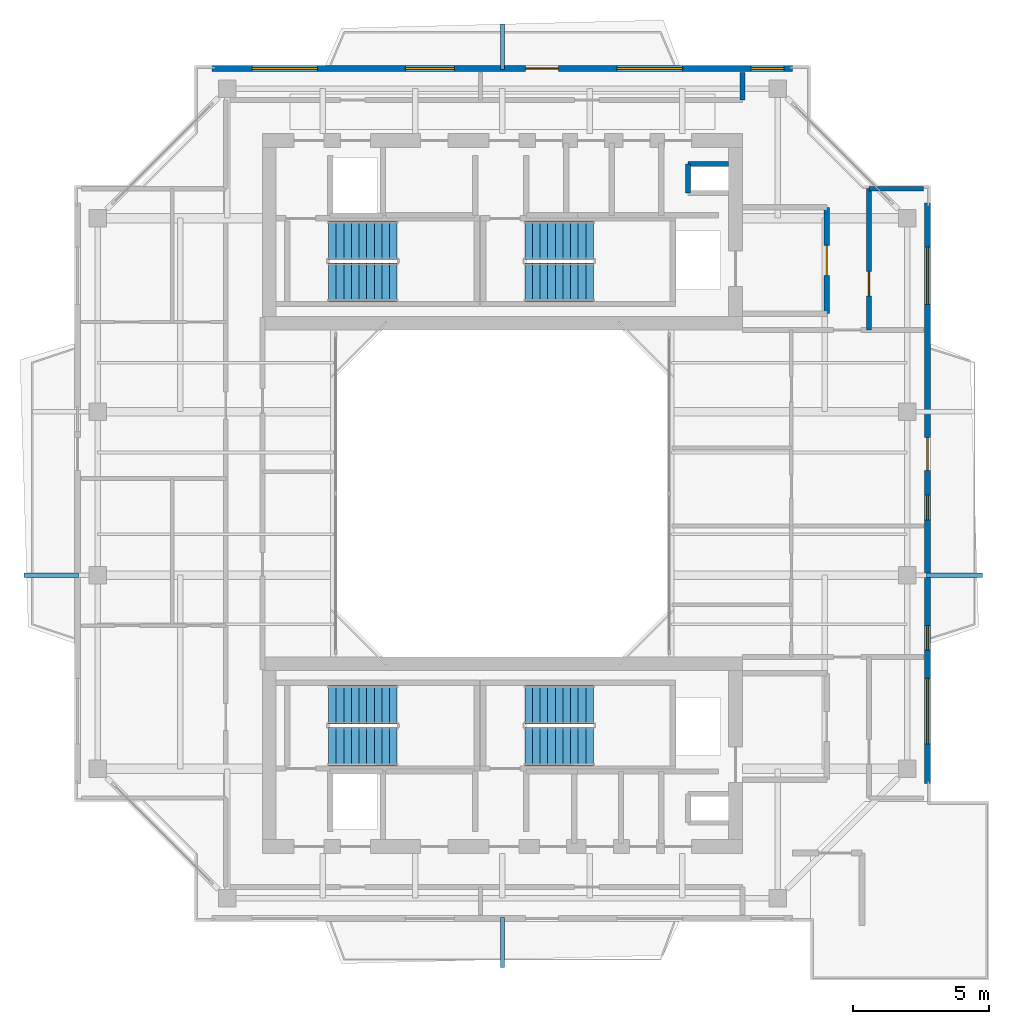
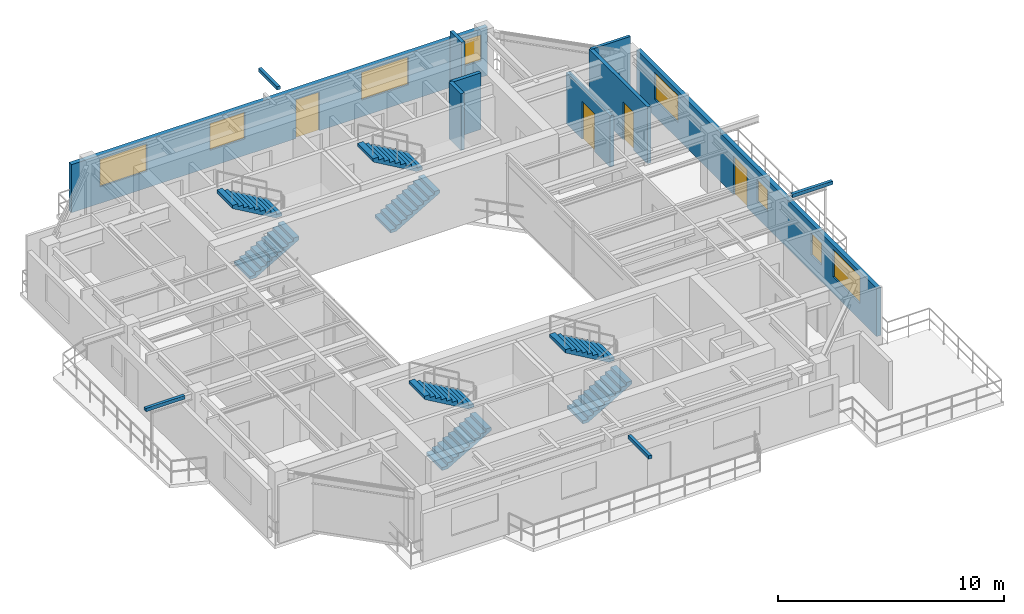
# One storey, part 12 of 14: 8 stair flights, 8 walls, 8 windows, 4 discrete accessories, 4 doors, 12 openings, 4 elements without a shape of their own.
"""IFC4 building model written with IfcOpenShell, lengths in metres."""

from ifc_helpers import new_model, si_unit, direction, frame, frame_2d, origin, origin_2d, place, context, subcontext, project, spatial, polyline, rectangle, outline, extrude, source, transform, mapped, material, layer, layer_set, type_object, element, fill, aggregate, save


model = new_model("IFC4")

# Units and contexts
model_context = context("Model", 3, precision=1e-05, world=origin(), true_north=direction((0.0, 1.0)))
body_context = subcontext(model_context, "Body", "Model", "MODEL_VIEW")
ifc_project = project(units=[si_unit("LENGTHUNIT", "METRE"), si_unit("AREAUNIT", "SQUARE_METRE"), si_unit("VOLUMEUNIT", "CUBIC_METRE"), si_unit("PLANEANGLEUNIT", "RADIAN"), si_unit("MASSUNIT", "GRAM", prefix="KILO"), si_unit("THERMODYNAMICTEMPERATUREUNIT", "KELVIN"), si_unit("POWERUNIT", "WATT")], contexts=[model_context])

# Site, building, storey
site_placement = place(None, origin())
site = spatial("IfcSite", under=ifc_project, at=site_placement, CompositionType="ELEMENT")
building_placement = place(site_placement, origin())
building = spatial("IfcBuilding", under=site, at=building_placement, Name="Qiaomeng Ring Towers", CompositionType="ELEMENT")
storey_placement = place(building_placement, frame((0.0, 0.0, 253.5)))
storey = spatial("IfcBuildingStorey", under=building, at=storey_placement, Name="L74", CompositionType="ELEMENT", Elevation=253.5)

# Wall, openings, windows, door
ifc_material_1 = material(Name="Precast concrete C40", Category="concrete")
ifc_layer_1 = layer(ifc_material_1, 0.219970703125, Name="Precast concrete C40")
ifc_layer_set_1 = layer_set([ifc_layer_1], Name="Precast concrete C40")
wall_type_1 = type_object("IfcWallType", Name="ARC-WL-EW2", PredefinedType="STANDARD", material=ifc_layer_set_1)
wall_1_placement = place(storey_placement, frame((8.35009765625, 38.590087890625, 0.0), z_axis=(0.0, 0.0, 1.0), x_axis=(1.0, 0.0, 0.0)))
wall_1 = element("IfcWall", 1, at=wall_1_placement, inside=storey, type_object=wall_type_1, Name="L74 Tower 1 N Exterior Wall", PredefinedType="STANDARD", context=body_context, shape_type="SweptSolid", body=[
    extrude(rectangle(XDim=21.2998046875, YDim=0.219970703125, at=frame_2d((10.64990234375, 0.0))), origin(), (0.0, 0.0, 1.0), 2.610107421875),
])
opening_1_placement = place(wall_1_placement, frame((11.5, 0.0, 0.0)))
opening_1 = element("IfcOpeningElement", 2, at=opening_1_placement, cuts=wall_1, Name="Opening BD1", PredefinedType="OPENING", context=body_context, shape_type="SweptSolid", body=[
    extrude(rectangle(XDim=1.199951171875, YDim=2.10009765625, at=frame_2d((0.60009765625, 1.050048828125))), frame((0.0, 0.119873046875, 0.0), z_axis=(0.0, -1.0, 0.0), x_axis=(1.0, 0.0, 0.0)), (0.0, 0.0, 1.0), 0.239990234375),
])
opening_2_placement = place(wall_1_placement, frame((1.462890625, 0.0, 0.89990234375)))
opening_2 = element("IfcOpeningElement", 3, at=opening_2_placement, cuts=wall_1, Name="Opening WN6", PredefinedType="OPENING", context=body_context, shape_type="SweptSolid", body=[
    extrude(rectangle(XDim=2.39990234375, YDim=1.47998046875, at=frame_2d((1.199951171875, 0.739990234375))), frame((0.0, 0.119873046875, 0.0), z_axis=(0.0, -1.0, 0.0), x_axis=(1.0, 0.0, 0.0)), (0.0, 0.0, 1.0), 0.239990234375),
])
opening_3_placement = place(wall_1_placement, frame((7.087890625, 0.0, 0.89990234375)))
opening_3 = element("IfcOpeningElement", 4, at=opening_3_placement, cuts=wall_1, Name="Opening WN1", PredefinedType="OPENING", context=body_context, shape_type="SweptSolid", body=[
    extrude(rectangle(XDim=1.800048828125, YDim=1.449951171875, at=frame_2d((0.89990234375, 0.72509765625))), frame((0.0, 0.119873046875, 0.0), z_axis=(0.0, -1.0, 0.0), x_axis=(1.0, 0.0, 0.0)), (0.0, 0.0, 1.0), 0.239990234375),
])
opening_4_placement = place(wall_1_placement, frame((19.77490234375, 0.0, 0.89990234375)))
opening_4 = element("IfcOpeningElement", 5, at=opening_4_placement, cuts=wall_1, Name="Opening WN3", PredefinedType="OPENING", context=body_context, shape_type="SweptSolid", body=[
    extrude(rectangle(XDim=1.199951171875, YDim=1.39990234375, at=frame_2d((0.60009765625, 0.699951171875))), frame((0.0, 0.119873046875, 0.0), z_axis=(0.0, -1.0, 0.0), x_axis=(1.0, 0.0, 0.0)), (0.0, 0.0, 1.0), 0.239990234375),
])
opening_5_placement = place(wall_1_placement, frame((14.860107421875, 0.0, 0.89990234375)))
opening_5 = element("IfcOpeningElement", 6, at=opening_5_placement, cuts=wall_1, Name="Opening WN6", PredefinedType="OPENING", context=body_context, shape_type="SweptSolid", body=[
    extrude(rectangle(XDim=2.39990234375, YDim=1.5, at=frame_2d((1.199951171875, 0.75))), frame((0.0, 0.119873046875, 0.0), z_axis=(0.0, -1.0, 0.0), x_axis=(1.0, 0.0, 0.0)), (0.0, 0.0, 1.0), 0.239990234375),
])
ifc_material_2 = material(Name="Low-E dark-grey laminated double glazing", Category="glass")
window_type_1 = type_object("IfcWindowType", Name="ARC-WN-1", PartitioningType="DOUBLE_PANEL_VERTICAL", PredefinedType="WINDOW", material=ifc_material_2)
shared_shape_1 = source(origin(), body_context, "Body", "SweptSolid", [
    extrude(rectangle(XDim=1.800048828125, YDim=1.449951171875, at=frame_2d((0.89990234375, 0.72509765625))), frame((0.0, 0.030029296875, 0.0), z_axis=(0.0, -1.0, 0.0), x_axis=(1.0, 0.0, 0.0)), (0.0, 0.0, 1.0), 0.06005859375),
])
window_1_placement = place(opening_3_placement, origin())
window_1 = element("IfcWindow", 7, at=window_1_placement, inside=storey, type_object=window_type_1, Name="L74 Exterior Window WN1", OverallHeight=1.449951171875, OverallWidth=1.800048828125, PartitioningType="DOUBLE_PANEL_VERTICAL", PredefinedType="WINDOW", context=body_context, shape_type="MappedRepresentation", body=[
    mapped(shared_shape_1, transform((0.0, 0.0, 0.0), x_axis=(1.0, 0.0, 0.0), y_axis=(0.0, 1.0, 0.0), z_axis=(0.0, 0.0, 1.0), scale=1.0)),
])
fill(opening_3, window_1)
window_type_2 = type_object("IfcWindowType", Name="ARC-WN-6", PartitioningType="TRIPLE_PANEL_VERTICAL", PredefinedType="WINDOW", material=ifc_material_2)
shared_shape_2 = source(origin(), body_context, "Body", "SweptSolid", [
    extrude(rectangle(XDim=2.39990234375, YDim=1.47998046875, at=frame_2d((1.199951171875, 0.739990234375))), frame((0.0, 0.030029296875, 0.0), z_axis=(0.0, -1.0, 0.0), x_axis=(1.0, 0.0, 0.0)), (0.0, 0.0, 1.0), 0.06005859375),
])
window_2_placement = place(opening_2_placement, origin())
window_2 = element("IfcWindow", 8, at=window_2_placement, inside=storey, type_object=window_type_2, Name="L74 Exterior Window WN6", OverallHeight=1.47998046875, OverallWidth=2.39990234375, PartitioningType="TRIPLE_PANEL_VERTICAL", PredefinedType="WINDOW", context=body_context, shape_type="MappedRepresentation", body=[
    mapped(shared_shape_2, transform((0.0, 0.0, 0.0), x_axis=(1.0, 0.0, 0.0), y_axis=(0.0, 1.0, 0.0), z_axis=(0.0, 0.0, 1.0), scale=1.0)),
])
fill(opening_2, window_2)
door_type_1 = type_object("IfcDoorType", Name="ARC-DR-BD1", OperationType="NOTDEFINED", PredefinedType="DOOR", material=ifc_material_2)
shared_shape_3 = source(origin(), body_context, "Body", "SweptSolid", [
    extrude(rectangle(XDim=1.199951171875, YDim=2.10009765625, at=frame_2d((0.60009765625, 1.050048828125))), frame((0.0, 0.02490234375, 0.0), z_axis=(0.0, -1.0, 0.0), x_axis=(1.0, 0.0, 0.0)), (0.0, 0.0, 1.0), 0.050048828125),
])
door_1_placement = place(opening_1_placement, origin())
door_1 = element("IfcDoor", 9, at=door_1_placement, inside=storey, type_object=door_type_1, Name="L74 N Balcony Glazed Door", OperationType="SINGLE_SWING_LEFT", OverallHeight=2.10009765625, OverallWidth=1.199951171875, PredefinedType="DOOR", context=body_context, shape_type="MappedRepresentation", body=[
    mapped(shared_shape_3, transform((0.0, 0.0, 0.0), x_axis=(1.0, 0.0, 0.0), y_axis=(0.0, 1.0, 0.0), z_axis=(0.0, 0.0, 1.0), scale=1.0)),
])
fill(opening_1, door_1)
shared_shape_4 = source(origin(), body_context, "Body", "SweptSolid", [
    extrude(rectangle(XDim=2.39990234375, YDim=1.5, at=frame_2d((1.199951171875, 0.75))), frame((0.0, 0.030029296875, 0.0), z_axis=(0.0, -1.0, 0.0), x_axis=(1.0, 0.0, 0.0)), (0.0, 0.0, 1.0), 0.06005859375),
])
window_3_placement = place(opening_5_placement, origin())
window_3 = element("IfcWindow", 10, at=window_3_placement, inside=storey, type_object=window_type_2, Name="L74 Exterior Window WN6", OverallHeight=1.5, OverallWidth=2.39990234375, PartitioningType="TRIPLE_PANEL_VERTICAL", PredefinedType="WINDOW", context=body_context, shape_type="MappedRepresentation", body=[
    mapped(shared_shape_4, transform((0.0, 0.0, 0.0), x_axis=(1.0, 0.0, 0.0), y_axis=(0.0, 1.0, 0.0), z_axis=(0.0, 0.0, 1.0), scale=1.0)),
])
fill(opening_5, window_3)
window_type_3 = type_object("IfcWindowType", Name="ARC-WN-3", PartitioningType="SINGLE_PANEL", PredefinedType="WINDOW", material=ifc_material_2)
shared_shape_5 = source(origin(), body_context, "Body", "SweptSolid", [
    extrude(rectangle(XDim=1.199951171875, YDim=1.39990234375, at=frame_2d((0.60009765625, 0.699951171875))), frame((0.0, 0.030029296875, 0.0), z_axis=(0.0, -1.0, 0.0), x_axis=(1.0, 0.0, 0.0)), (0.0, 0.0, 1.0), 0.06005859375),
])
window_4_placement = place(opening_4_placement, origin())
window_4 = element("IfcWindow", 11, at=window_4_placement, inside=storey, type_object=window_type_3, Name="L74 Exterior Window WN4", OverallHeight=1.39990234375, OverallWidth=1.199951171875, PartitioningType="TRIPLE_PANEL_VERTICAL", PredefinedType="WINDOW", context=body_context, shape_type="MappedRepresentation", body=[
    mapped(shared_shape_5, transform((0.0, 0.0, 0.0), x_axis=(1.0, 0.0, 0.0), y_axis=(0.0, 1.0, 0.0), z_axis=(0.0, 0.0, 1.0), scale=1.0)),
])
fill(opening_4, window_4)

wall_2_placement = place(storey_placement, frame((34.590087890625, 12.35009765625, 0.0), z_axis=(0.0, 0.0, 1.0), x_axis=(0.0, 1.0, 0.0)))
wall_2 = element("IfcWall", 12, at=wall_2_placement, inside=storey, type_object=wall_type_1, Name="L74 Tower 1 E Exterior Wall", PredefinedType="STANDARD", context=body_context, shape_type="SweptSolid", body=[
    extrude(rectangle(XDim=21.2998046875, YDim=0.219970703125, at=frame_2d((10.64990234375, 0.0))), origin(), (0.0, 0.0, 1.0), 2.610107421875),
])
opening_6_placement = place(wall_2_placement, frame((11.5, 0.0, 0.0)))
opening_6 = element("IfcOpeningElement", 13, at=opening_6_placement, cuts=wall_2, Name="Opening BD1", PredefinedType="OPENING", context=body_context, shape_type="SweptSolid", body=[
    extrude(rectangle(XDim=1.199951171875, YDim=2.10009765625, at=frame_2d((0.60009765625, 1.050048828125))), frame((0.0, 0.119873046875, 0.0), z_axis=(0.0, -1.0, 0.0), x_axis=(1.0, 0.0, 0.0)), (0.0, 0.0, 1.0), 0.239990234375),
])
opening_7_placement = place(wall_2_placement, frame((1.462890625, 0.0, 0.89990234375)))
opening_7 = element("IfcOpeningElement", 14, at=opening_7_placement, cuts=wall_2, Name="Opening WN6", PredefinedType="OPENING", context=body_context, shape_type="SweptSolid", body=[
    extrude(rectangle(XDim=2.39990234375, YDim=1.47998046875, at=frame_2d((1.199951171875, 0.739990234375))), frame((0.0, 0.119873046875, 0.0), z_axis=(0.0, -1.0, 0.0), x_axis=(1.0, 0.0, 0.0)), (0.0, 0.0, 1.0), 0.239990234375),
])
opening_8_placement = place(wall_2_placement, frame((17.587890625, 0.0, 0.89990234375)))
opening_8 = element("IfcOpeningElement", 15, at=opening_8_placement, cuts=wall_2, Name="Opening WN4", PredefinedType="OPENING", context=body_context, shape_type="SweptSolid", body=[
    extrude(rectangle(XDim=2.10009765625, YDim=1.47998046875, at=frame_2d((1.050048828125, 0.739990234375))), frame((0.0, 0.119873046875, 0.0), z_axis=(0.0, -1.0, 0.0), x_axis=(1.0, 0.0, 0.0)), (0.0, 0.0, 1.0), 0.239990234375),
])
opening_9_placement = place(wall_2_placement, frame((4.89990234375, 0.0, 0.89990234375)))
opening_9 = element("IfcOpeningElement", 16, at=opening_9_placement, cuts=wall_2, Name="Opening WN5", PredefinedType="OPENING", context=body_context, shape_type="SweptSolid", body=[
    extrude(rectangle(XDim=0.89990234375, YDim=1.199951171875, at=frame_2d((0.449951171875, 0.60009765625))), frame((0.0, 0.119873046875, 0.0), z_axis=(0.0, -1.0, 0.0), x_axis=(1.0, 0.0, 0.0)), (0.0, 0.0, 1.0), 0.239990234375),
])
opening_10_placement = place(wall_2_placement, frame((9.68505859375, 0.0, 0.89990234375)))
opening_10 = element("IfcOpeningElement", 17, at=opening_10_placement, cuts=wall_2, Name="Opening WN5", PredefinedType="OPENING", context=body_context, shape_type="SweptSolid", body=[
    extrude(rectangle(XDim=0.89990234375, YDim=1.199951171875, at=frame_2d((0.449951171875, 0.60009765625))), frame((0.0, 0.119873046875, 0.0), z_axis=(0.0, -1.0, 0.0), x_axis=(1.0, 0.0, 0.0)), (0.0, 0.0, 1.0), 0.239990234375),
])
window_type_4 = type_object("IfcWindowType", Name="ARC-WN-4", PartitioningType="TRIPLE_PANEL_VERTICAL", PredefinedType="WINDOW", material=ifc_material_2)
shared_shape_6 = source(origin(), body_context, "Body", "SweptSolid", [
    extrude(rectangle(XDim=2.10009765625, YDim=1.47998046875, at=frame_2d((1.050048828125, 0.739990234375))), frame((0.0, 0.030029296875, 0.0), z_axis=(0.0, -1.0, 0.0), x_axis=(1.0, 0.0, 0.0)), (0.0, 0.0, 1.0), 0.06005859375),
])
window_5_placement = place(opening_8_placement, origin())
window_5 = element("IfcWindow", 18, at=window_5_placement, inside=storey, type_object=window_type_4, Name="L74 Exterior Window WN4", OverallHeight=1.47998046875, OverallWidth=2.10009765625, PartitioningType="TRIPLE_PANEL_VERTICAL", PredefinedType="WINDOW", context=body_context, shape_type="MappedRepresentation", body=[
    mapped(shared_shape_6, transform((0.0, 0.0, 0.0), x_axis=(1.0, 0.0, 0.0), y_axis=(0.0, 1.0, 0.0), z_axis=(0.0, 0.0, 1.0), scale=1.0)),
])
fill(opening_8, window_5)
window_6_placement = place(opening_7_placement, origin())
window_6 = element("IfcWindow", 19, at=window_6_placement, inside=storey, type_object=window_type_2, Name="L74 Exterior Window WN6", OverallHeight=1.47998046875, OverallWidth=2.39990234375, PartitioningType="TRIPLE_PANEL_VERTICAL", PredefinedType="WINDOW", context=body_context, shape_type="MappedRepresentation", body=[
    mapped(shared_shape_2, transform((0.0, 0.0, 0.0), x_axis=(1.0, 0.0, 0.0), y_axis=(0.0, 1.0, 0.0), z_axis=(0.0, 0.0, 1.0), scale=1.0)),
])
fill(opening_7, window_6)
door_2_placement = place(opening_6_placement, origin())
door_2 = element("IfcDoor", 20, at=door_2_placement, inside=storey, type_object=door_type_1, Name="L74 E Balcony Glazed Door", OperationType="SINGLE_SWING_LEFT", OverallHeight=2.10009765625, OverallWidth=1.199951171875, PredefinedType="DOOR", context=body_context, shape_type="MappedRepresentation", body=[
    mapped(shared_shape_3, transform((0.0, 0.0, 0.0), x_axis=(1.0, 0.0, 0.0), y_axis=(0.0, 1.0, 0.0), z_axis=(0.0, 0.0, 1.0), scale=1.0)),
])
fill(opening_6, door_2)
window_type_5 = type_object("IfcWindowType", Name="ARC-WN-5", PartitioningType="SINGLE_PANEL", PredefinedType="WINDOW", material=ifc_material_2)
shared_shape_7 = source(origin(), body_context, "Body", "SweptSolid", [
    extrude(rectangle(XDim=0.89990234375, YDim=1.199951171875, at=frame_2d((0.449951171875, 0.60009765625))), frame((0.0, 0.030029296875, 0.0), z_axis=(0.0, -1.0, 0.0), x_axis=(1.0, 0.0, 0.0)), (0.0, 0.0, 1.0), 0.06005859375),
])
window_7_placement = place(opening_9_placement, origin())
window_7 = element("IfcWindow", 21, at=window_7_placement, inside=storey, type_object=window_type_5, Name="L74 Exterior Window WN5", OverallHeight=1.199951171875, OverallWidth=0.89990234375, PartitioningType="SINGLE_PANEL", PredefinedType="WINDOW", context=body_context, shape_type="MappedRepresentation", body=[
    mapped(shared_shape_7, transform((0.0, 0.0, 0.0), x_axis=(1.0, 0.0, 0.0), y_axis=(0.0, 1.0, 0.0), z_axis=(0.0, 0.0, 1.0), scale=1.0)),
])
fill(opening_9, window_7)
window_8_placement = place(opening_10_placement, origin())
window_8 = element("IfcWindow", 22, at=window_8_placement, inside=storey, type_object=window_type_5, Name="L74 Exterior Window WN5", OverallHeight=1.199951171875, OverallWidth=0.89990234375, PartitioningType="SINGLE_PANEL", PredefinedType="WINDOW", context=body_context, shape_type="MappedRepresentation", body=[
    mapped(shared_shape_7, transform((0.0, 0.0, 0.0), x_axis=(1.0, 0.0, 0.0), y_axis=(0.0, 1.0, 0.0), z_axis=(0.0, 0.0, 1.0), scale=1.0)),
])
fill(opening_10, window_8)

# Wall, opening, door
ifc_material_3 = material(Name="Autoclaved aerated concrete block", Category="concrete")
ifc_layer_2 = layer(ifc_material_3, 0.199951171875, Name="Autoclaved aerated concrete block")
ifc_layer_set_2 = layer_set([ifc_layer_2], Name="Autoclaved aerated concrete block")
wall_type_2 = type_object("IfcWallType", Name="ARC-WL-PW1", PredefinedType="PARTITIONING", material=ifc_layer_set_2)
wall_3_placement = place(storey_placement, frame((30.89990234375, 29.60009765625, 0.0), z_axis=(0.0, 0.0, 1.0), x_axis=(0.0, 1.0, 0.0)))
wall_3 = element("IfcWall", 23, at=wall_3_placement, inside=storey, type_object=wall_type_2, Name="L74 Interior Wall PW1", PredefinedType="PARTITIONING", context=body_context, shape_type="SweptSolid", body=[
    extrude(rectangle(XDim=3.89990234375, YDim=0.199951171875, at=frame_2d((1.949951171875, 0.0))), origin(), (0.0, 0.0, 1.0), 2.77099609375),
])
opening_11_placement = place(wall_3_placement, frame((1.39990234375, 0.0, 0.0)))
opening_11 = element("IfcOpeningElement", 24, at=opening_11_placement, cuts=wall_3, Name="Opening FD3", PredefinedType="OPENING", context=body_context, shape_type="SweptSolid", body=[
    extrude(rectangle(XDim=1.10009765625, YDim=2.050048828125, at=frame_2d((0.550048828125, 1.02490234375))), frame((0.0, 0.10986328125, 0.0), z_axis=(0.0, -1.0, 0.0), x_axis=(1.0, 0.0, 0.0)), (0.0, 0.0, 1.0), 0.219970703125),
])
ifc_material_4 = material(Name="Galvanised steel", Category="steel")
door_type_2 = type_object("IfcDoorType", Name="ARC-DR-FD3", OperationType="NOTDEFINED", PredefinedType="DOOR", material=ifc_material_4)
shared_shape_8 = source(origin(), body_context, "Body", "SweptSolid", [
    extrude(rectangle(XDim=1.10009765625, YDim=2.050048828125, at=frame_2d((0.550048828125, 1.02490234375))), frame((0.0, 0.02490234375, 0.0), z_axis=(0.0, -1.0, 0.0), x_axis=(1.0, 0.0, 0.0)), (0.0, 0.0, 1.0), 0.050048828125),
])
door_3_placement = place(opening_11_placement, origin())
door_3 = element("IfcDoor", 25, at=door_3_placement, inside=storey, type_object=door_type_2, Name="L74 North FF Lobby Door", OperationType="SINGLE_SWING_LEFT", OverallHeight=2.050048828125, OverallWidth=1.10009765625, PredefinedType="DOOR", context=body_context, shape_type="MappedRepresentation", body=[
    mapped(shared_shape_8, transform((0.0, 0.0, 0.0), x_axis=(1.0, 0.0, 0.0), y_axis=(0.0, 1.0, 0.0), z_axis=(0.0, 0.0, 1.0), scale=1.0)),
])
fill(opening_11, door_3)

# Wall
ifc_layer_3 = layer(ifc_material_3, 0.179931640625, Name="Autoclaved aerated concrete block")
ifc_layer_set_3 = layer_set([ifc_layer_3], Name="Autoclaved aerated concrete block")
wall_type_3 = type_object("IfcWallType", Name="ARC-WL-PW2", PredefinedType="PARTITIONING", material=ifc_layer_set_3)
wall_4_placement = place(storey_placement, frame((27.800048828125, 37.43994140625, 0.0), z_axis=(0.0, 0.0, 1.0), x_axis=(0.0, 1.0, 0.0)))
element("IfcWall", 26, at=wall_4_placement, inside=storey, type_object=wall_type_3, Name="L74 Interior Wall PW2", PredefinedType="PARTITIONING", context=body_context, shape_type="SweptSolid", body=[
    extrude(rectangle(XDim=1.010009765625, YDim=0.179931640625, at=frame_2d((0.5048828125, 0.0))), origin(), (0.0, 0.0, 1.0), 3.070068359375),
])

# Wall, opening, door
wall_5_placement = place(storey_placement, frame((32.449951171875, 29.0, 0.0), z_axis=(0.0, 0.0, 1.0), x_axis=(0.0, 1.0, 0.0)))
wall_5 = element("IfcWall", 27, at=wall_5_placement, inside=storey, type_object=wall_type_3, Name="L74 Interior Wall PW2", PredefinedType="PARTITIONING", context=body_context, shape_type="SweptSolid", body=[
    extrude(rectangle(XDim=5.179931640625, YDim=0.179931640625, at=frame_2d((2.58984375, 0.0))), origin(), (0.0, 0.0, 1.0), 3.070068359375),
])
opening_12_placement = place(wall_5_placement, frame((1.25, 0.0, 0.0)))
opening_12 = element("IfcOpeningElement", 28, at=opening_12_placement, cuts=wall_5, Name="Opening ID1", PredefinedType="OPENING", context=body_context, shape_type="SweptSolid", body=[
    extrude(rectangle(XDim=0.89990234375, YDim=2.050048828125, at=frame_2d((0.449951171875, 1.02490234375))), frame((0.0, 0.099853515625, 0.0), z_axis=(0.0, -1.0, 0.0), x_axis=(1.0, 0.0, 0.0)), (0.0, 0.0, 1.0), 0.199951171875),
])
ifc_material_5 = material(Name="Engineered oak timber", Category="wood")
door_type_3 = type_object("IfcDoorType", Name="ARC-DR-ID1", OperationType="NOTDEFINED", PredefinedType="DOOR", material=ifc_material_5)
shared_shape_9 = source(origin(), body_context, "Body", "SweptSolid", [
    extrude(rectangle(XDim=0.89990234375, YDim=2.050048828125, at=frame_2d((0.449951171875, 1.02490234375))), frame((0.0, 0.02490234375, 0.0), z_axis=(0.0, -1.0, 0.0), x_axis=(1.0, 0.0, 0.0)), (0.0, 0.0, 1.0), 0.050048828125),
])
door_4_placement = place(opening_12_placement, origin())
door_4 = element("IfcDoor", 29, at=door_4_placement, inside=storey, type_object=door_type_3, Name="L74 Door ID1", OperationType="SINGLE_SWING_LEFT", OverallHeight=2.050048828125, OverallWidth=0.89990234375, PredefinedType="DOOR", context=body_context, shape_type="MappedRepresentation", body=[
    mapped(shared_shape_9, transform((0.0, 0.0, 0.0), x_axis=(1.0, 0.0, 0.0), y_axis=(0.0, 1.0, 0.0), z_axis=(0.0, 0.0, 1.0), scale=1.0)),
])
fill(opening_12, door_4)

# Walls
ifc_material_6 = material(Name="Gypsum fireboard steel-stud partition", Category="steel")
ifc_layer_4 = layer(ifc_material_6, 0.14990234375, Name="Gypsum fireboard steel-stud partition")
ifc_layer_set_4 = layer_set([ifc_layer_4], Name="Gypsum fireboard steel-stud partition")
wall_type_4 = type_object("IfcWallType", Name="ARC-WL-PW3", PredefinedType="PARTITIONING", material=ifc_layer_set_4)
wall_6_placement = place(storey_placement, frame((32.449951171875, 34.179931640625, 0.0), z_axis=(0.0, 0.0, 1.0), x_axis=(1.0, 0.0, 0.0)))
element("IfcWall", 30, at=wall_6_placement, inside=storey, type_object=wall_type_4, Name="L74 Interior Wall PW3", PredefinedType="PARTITIONING", context=body_context, shape_type="SweptSolid", body=[
    extrude(rectangle(XDim=2.0, YDim=0.14990234375, at=frame_2d((1.0, 0.0))), origin(), (0.0, 0.0, 1.0), 3.070068359375),
])
ifc_material_7 = material(Name="Concrete C40", Category="concrete")
ifc_layer_5 = layer(ifc_material_7, 0.199951171875, Name="Concrete C40")
ifc_layer_set_5 = layer_set([ifc_layer_5], Name="Concrete C40")
wall_type_5 = type_object("IfcWallType", Name="STR-WL-STSHAFT", PredefinedType="SHEAR", material=ifc_layer_set_5)
wall_7_placement = place(storey_placement, frame((25.800048828125, 34.02001953125, 0.0), z_axis=(0.0, 0.0, 1.0), x_axis=(0.0, 1.0, 0.0)))
element("IfcWall", 31, at=wall_7_placement, inside=storey, type_object=wall_type_5, Name="L74 Riser RSR1 West Shaft Wall N", PredefinedType="SHEAR", context=body_context, shape_type="SweptSolid", body=[
    extrude(rectangle(XDim=1.06005859375, YDim=0.179931640625, at=frame_2d((0.530029296875, 0.0))), origin(), (0.0, 0.0, 1.0), 3.070068359375),
])
wall_8_placement = place(storey_placement, frame((25.800048828125, 35.080078125, 0.0), z_axis=(0.0, 0.0, 1.0), x_axis=(1.0, 0.0, 0.0)))
element("IfcWall", 32, at=wall_8_placement, inside=storey, type_object=wall_type_5, Name="L74 Riser RSR1 North Shaft Wall N", PredefinedType="SHEAR", context=body_context, shape_type="SweptSolid", body=[
    extrude(rectangle(XDim=1.5, YDim=0.179931640625, at=frame_2d((0.75, 0.0))), origin(), (0.0, 0.0, 1.0), 3.070068359375),
])

# Stair, stair flights
stair_type = type_object("IfcStairType", Name="ARC-ST-325", PredefinedType="HALF_TURN_STAIR", material=ifc_material_1)
stair_1_placement = place(storey_placement, origin())
stair_1 = element("IfcStair", 33, at=stair_1_placement, inside=storey, type_object=stair_type, Name="L74 Tower 1 North Stair 1", PredefinedType="HALF_TURN_STAIR")
stair_flight_type = type_object("IfcStairFlightType", Name="ARC-ST-325-FL", PredefinedType="STRAIGHT", material=ifc_material_1)
shared_shape_10 = source(origin(), body_context, "Body", "SweptSolid", [
    extrude(outline(polyline([(0.0, 0.0), (0.0, 0.16259765625), (0.280029296875, 0.16259765625), (0.280029296875, 0.324951171875), (0.56005859375, 0.324951171875), (0.56005859375, 0.487548828125), (0.840087890625, 0.487548828125), (0.840087890625, 0.64990234375), (1.1201171875, 0.64990234375), (1.1201171875, 0.8125), (1.39990234375, 0.8125), (1.39990234375, 0.97509765625), (1.679931640625, 0.97509765625), (1.679931640625, 1.137451171875), (1.9599609375, 1.137451171875), (1.9599609375, 1.300048828125), (2.239990234375, 1.300048828125), (2.239990234375, 1.46240234375), (2.52001953125, 1.46240234375), (2.52001953125, 1.625), (2.52001953125, 1.2890625), (0.298583984375, 0.0), (0.0, 0.0)])), frame((0.0, 0.699951171875, 0.0), z_axis=(0.0, -1.0, 0.0), x_axis=(1.0, 0.0, 0.0)), (0.0, 0.0, 1.0), 1.39990234375),
])
stair_flight_1_placement = place(storey_placement, frame((12.6201171875, 30.75, 0.0), z_axis=(0.0, 0.0, 1.0), x_axis=(1.0, 0.0, 0.0)))
stair_flight_1 = element("IfcStairFlight", 34, at=stair_flight_1_placement, type_object=stair_flight_type, Name="ST1 flight 1", NumberOfRisers=10, NumberOfTreads=9, PredefinedType="STRAIGHT", RiserHeight=0.1625, TreadLength=0.28, context=body_context, shape_type="MappedRepresentation", body=[
    mapped(shared_shape_10, transform((0.0, 0.0, 0.0), x_axis=(1.0, 0.0, 0.0), y_axis=(0.0, 1.0, 0.0), z_axis=(0.0, 0.0, 1.0), scale=1.0)),
])
stair_flight_2_placement = place(storey_placement, frame((15.139892578125, 32.2900390625, 1.625), z_axis=(0.0, 0.0, 1.0), x_axis=(-1.0, 0.0, 0.0)))
stair_flight_2 = element("IfcStairFlight", 35, at=stair_flight_2_placement, type_object=stair_flight_type, Name="ST1 flight 2", NumberOfRisers=10, NumberOfTreads=9, PredefinedType="STRAIGHT", RiserHeight=0.1625, TreadLength=0.28, context=body_context, shape_type="MappedRepresentation", body=[
    mapped(shared_shape_10, transform((0.0, 0.0, 0.0), x_axis=(1.0, 0.0, 0.0), y_axis=(0.0, 1.0, 0.0), z_axis=(0.0, 0.0, 1.0), scale=1.0)),
])
aggregate(stair_1, [stair_flight_1, stair_flight_2])

stair_2_placement = place(storey_placement, origin())
stair_2 = element("IfcStair", 36, at=stair_2_placement, inside=storey, type_object=stair_type, Name="L74 Tower 1 North Stair 2", PredefinedType="HALF_TURN_STAIR")
stair_flight_3_placement = place(storey_placement, frame((19.820068359375, 30.75, 0.0), z_axis=(0.0, 0.0, 1.0), x_axis=(1.0, 0.0, 0.0)))
stair_flight_3 = element("IfcStairFlight", 37, at=stair_flight_3_placement, type_object=stair_flight_type, Name="ST2 flight 1", NumberOfRisers=10, NumberOfTreads=9, PredefinedType="STRAIGHT", RiserHeight=0.1625, TreadLength=0.28, context=body_context, shape_type="MappedRepresentation", body=[
    mapped(shared_shape_10, transform((0.0, 0.0, 0.0), x_axis=(1.0, 0.0, 0.0), y_axis=(0.0, 1.0, 0.0), z_axis=(0.0, 0.0, 1.0), scale=1.0)),
])
stair_flight_4_placement = place(storey_placement, frame((22.340087890625, 32.2900390625, 1.625), z_axis=(0.0, 0.0, 1.0), x_axis=(-1.0, 0.0, 0.0)))
stair_flight_4 = element("IfcStairFlight", 38, at=stair_flight_4_placement, type_object=stair_flight_type, Name="ST2 flight 2", NumberOfRisers=10, NumberOfTreads=9, PredefinedType="STRAIGHT", RiserHeight=0.1625, TreadLength=0.28, context=body_context, shape_type="MappedRepresentation", body=[
    mapped(shared_shape_10, transform((0.0, 0.0, 0.0), x_axis=(1.0, 0.0, 0.0), y_axis=(0.0, 1.0, 0.0), z_axis=(0.0, 0.0, 1.0), scale=1.0)),
])
aggregate(stair_2, [stair_flight_3, stair_flight_4])

stair_3_placement = place(storey_placement, origin())
stair_3 = element("IfcStair", 39, at=stair_3_placement, inside=storey, type_object=stair_type, Name="L74 Tower 1 South Stair 3", PredefinedType="HALF_TURN_STAIR")
stair_flight_5_placement = place(storey_placement, frame((12.6201171875, 13.7099609375, 0.0), z_axis=(0.0, 0.0, 1.0), x_axis=(1.0, 0.0, 0.0)))
stair_flight_5 = element("IfcStairFlight", 40, at=stair_flight_5_placement, type_object=stair_flight_type, Name="ST3 flight 1", NumberOfRisers=10, NumberOfTreads=9, PredefinedType="STRAIGHT", RiserHeight=0.1625, TreadLength=0.28, context=body_context, shape_type="MappedRepresentation", body=[
    mapped(shared_shape_10, transform((0.0, 0.0, 0.0), x_axis=(1.0, 0.0, 0.0), y_axis=(0.0, 1.0, 0.0), z_axis=(0.0, 0.0, 1.0), scale=1.0)),
])
stair_flight_6_placement = place(storey_placement, frame((15.139892578125, 15.25, 1.625), z_axis=(0.0, 0.0, 1.0), x_axis=(-1.0, 0.0, 0.0)))
stair_flight_6 = element("IfcStairFlight", 41, at=stair_flight_6_placement, type_object=stair_flight_type, Name="ST3 flight 2", NumberOfRisers=10, NumberOfTreads=9, PredefinedType="STRAIGHT", RiserHeight=0.1625, TreadLength=0.28, context=body_context, shape_type="MappedRepresentation", body=[
    mapped(shared_shape_10, transform((0.0, 0.0, 0.0), x_axis=(1.0, 0.0, 0.0), y_axis=(0.0, 1.0, 0.0), z_axis=(0.0, 0.0, 1.0), scale=1.0)),
])
aggregate(stair_3, [stair_flight_5, stair_flight_6])

stair_4_placement = place(storey_placement, origin())
stair_4 = element("IfcStair", 42, at=stair_4_placement, inside=storey, type_object=stair_type, Name="L74 Tower 1 South Stair 4", PredefinedType="HALF_TURN_STAIR")
stair_flight_7_placement = place(storey_placement, frame((19.820068359375, 13.7099609375, 0.0), z_axis=(0.0, 0.0, 1.0), x_axis=(1.0, 0.0, 0.0)))
stair_flight_7 = element("IfcStairFlight", 43, at=stair_flight_7_placement, type_object=stair_flight_type, Name="ST4 flight 1", NumberOfRisers=10, NumberOfTreads=9, PredefinedType="STRAIGHT", RiserHeight=0.1625, TreadLength=0.28, context=body_context, shape_type="MappedRepresentation", body=[
    mapped(shared_shape_10, transform((0.0, 0.0, 0.0), x_axis=(1.0, 0.0, 0.0), y_axis=(0.0, 1.0, 0.0), z_axis=(0.0, 0.0, 1.0), scale=1.0)),
])
stair_flight_8_placement = place(storey_placement, frame((22.340087890625, 15.25, 1.625), z_axis=(0.0, 0.0, 1.0), x_axis=(-1.0, 0.0, 0.0)))
stair_flight_8 = element("IfcStairFlight", 44, at=stair_flight_8_placement, type_object=stair_flight_type, Name="ST4 flight 2", NumberOfRisers=10, NumberOfTreads=9, PredefinedType="STRAIGHT", RiserHeight=0.1625, TreadLength=0.28, context=body_context, shape_type="MappedRepresentation", body=[
    mapped(shared_shape_10, transform((0.0, 0.0, 0.0), x_axis=(1.0, 0.0, 0.0), y_axis=(0.0, 1.0, 0.0), z_axis=(0.0, 0.0, 1.0), scale=1.0)),
])
aggregate(stair_4, [stair_flight_7, stair_flight_8])

# Discrete accessories
ifc_material_8 = material(Name="Stainless steel 316", Category="steel")
discrete_accessory_type = type_object("IfcDiscreteAccessoryType", Name="ARC-ACC-BRACKET", PredefinedType="BRACKET", material=ifc_material_8)
shared_shape_11 = source(origin(), body_context, "Body", "SweptSolid", [
    extrude(rectangle(XDim=0.159912109375, YDim=1.85009765625, at=origin_2d()), origin(), (0.0, 0.0, 1.0), 0.179931640625),
])
discrete_accessory_1_placement = place(storey_placement, frame((19.0, 6.52490234375, 2.89990234375), z_axis=(0.0, 0.0, 1.0), x_axis=(1.0, 0.0, 0.0)))
element("IfcDiscreteAccessory", 45, at=discrete_accessory_1_placement, inside=storey, type_object=discrete_accessory_type, Name="L74 Stainless Outer-Skin Tie Bracket S", PredefinedType="BRACKET", context=body_context, shape_type="MappedRepresentation", body=[
    mapped(shared_shape_11, transform((0.0, 0.0, 0.0), x_axis=(1.0, 0.0, 0.0), y_axis=(0.0, 1.0, 0.0), z_axis=(0.0, 0.0, 1.0), scale=1.0)),
])
shared_shape_12 = source(origin(), body_context, "Body", "SweptSolid", [
    extrude(rectangle(XDim=0.159912109375, YDim=1.669921875, at=origin_2d()), origin(), (0.0, 0.0, 1.0), 0.179931640625),
])
discrete_accessory_2_placement = place(storey_placement, frame((19.0, 39.385009765625, 2.89990234375), z_axis=(0.0, 0.0, 1.0), x_axis=(1.0, 0.0, 0.0)))
element("IfcDiscreteAccessory", 46, at=discrete_accessory_2_placement, inside=storey, type_object=discrete_accessory_type, Name="L74 Stainless Outer-Skin Tie Bracket N", PredefinedType="BRACKET", context=body_context, shape_type="MappedRepresentation", body=[
    mapped(shared_shape_12, transform((0.0, 0.0, 0.0), x_axis=(1.0, 0.0, 0.0), y_axis=(0.0, 1.0, 0.0), z_axis=(0.0, 0.0, 1.0), scale=1.0)),
])
shared_shape_13 = source(origin(), body_context, "Body", "SweptSolid", [
    extrude(rectangle(XDim=2.0, YDim=0.159912109375, at=origin_2d()), origin(), (0.0, 0.0, 1.0), 0.179931640625),
])
discrete_accessory_3_placement = place(storey_placement, frame((2.449951171875, 20.0, 2.89990234375), z_axis=(0.0, 0.0, 1.0), x_axis=(1.0, 0.0, 0.0)))
element("IfcDiscreteAccessory", 47, at=discrete_accessory_3_placement, inside=storey, type_object=discrete_accessory_type, Name="L74 Stainless Outer-Skin Tie Bracket W", PredefinedType="BRACKET", context=body_context, shape_type="MappedRepresentation", body=[
    mapped(shared_shape_13, transform((0.0, 0.0, 0.0), x_axis=(1.0, 0.0, 0.0), y_axis=(0.0, 1.0, 0.0), z_axis=(0.0, 0.0, 1.0), scale=1.0)),
])
shared_shape_14 = source(origin(), body_context, "Body", "SweptSolid", [
    extrude(rectangle(XDim=2.070068359375, YDim=0.159912109375, at=origin_2d()), origin(), (0.0, 0.0, 1.0), 0.179931640625),
])
discrete_accessory_4_placement = place(storey_placement, frame((35.5849609375, 20.0, 2.89990234375), z_axis=(0.0, 0.0, 1.0), x_axis=(1.0, 0.0, 0.0)))
element("IfcDiscreteAccessory", 48, at=discrete_accessory_4_placement, inside=storey, type_object=discrete_accessory_type, Name="L74 Stainless Outer-Skin Tie Bracket E", PredefinedType="BRACKET", context=body_context, shape_type="MappedRepresentation", body=[
    mapped(shared_shape_14, transform((0.0, 0.0, 0.0), x_axis=(1.0, 0.0, 0.0), y_axis=(0.0, 1.0, 0.0), z_axis=(0.0, 0.0, 1.0), scale=1.0)),
])

save(model, "model.ifc")
